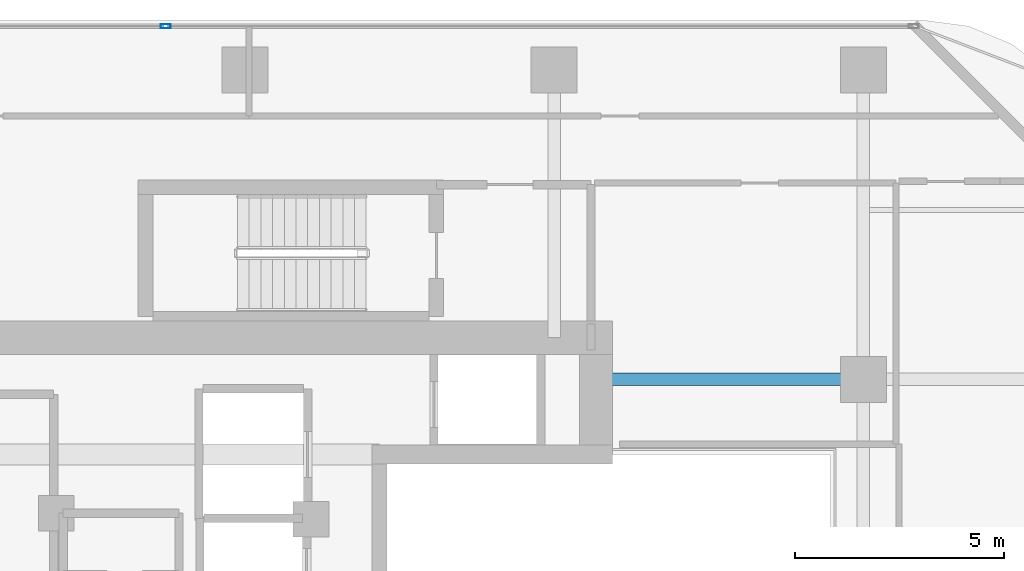
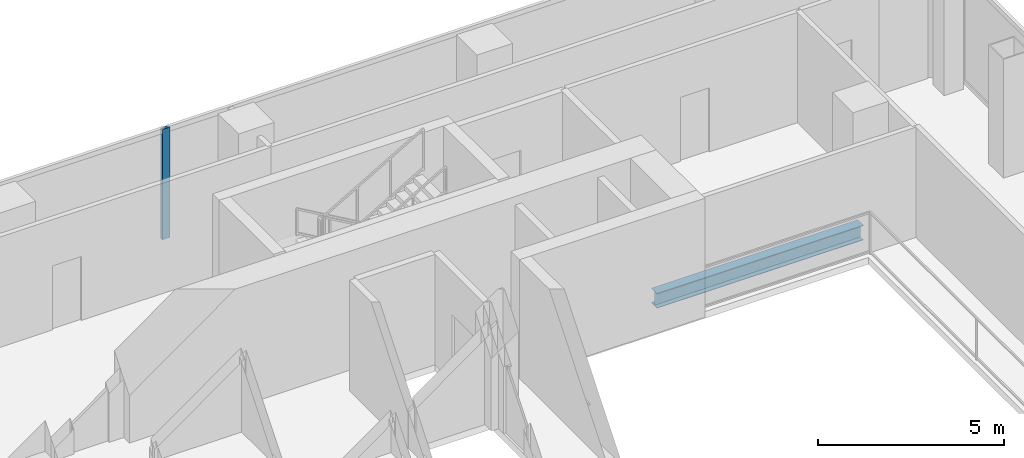
# One storey, part 13 of 24: 1 beam, 1 member, 1 element without a shape of its own.
"""IFC4 building model written with IfcOpenShell, lengths in metres."""

from ifc_helpers import new_model, si_unit, direction, frame, origin, origin_2d, place, context, subcontext, project, spatial, hollow_rectangle, i_section, extrude, material, layer, layer_set, material_profile, profile_set, type_object, element, aggregate, save


model = new_model("IFC4")

# Units and contexts
model_context = context("Model", 3, precision=1e-05, world=origin(), true_north=direction((0.0, 1.0)))
body_context = subcontext(model_context, "Body", "Model", "MODEL_VIEW")
ifc_project = project(units=[si_unit("LENGTHUNIT", "METRE"), si_unit("AREAUNIT", "SQUARE_METRE"), si_unit("VOLUMEUNIT", "CUBIC_METRE"), si_unit("PLANEANGLEUNIT", "RADIAN"), si_unit("MASSUNIT", "GRAM", prefix="KILO")], contexts=[model_context])

# Site, building, storey
site_placement = place(None, origin())
site = spatial("IfcSite", under=ifc_project, at=site_placement, CompositionType="ELEMENT")
building_placement = place(site_placement, origin())
building = spatial("IfcBuilding", under=site, at=building_placement, Name="Khorvyn Point Tower", CompositionType="ELEMENT")
storey_placement = place(building_placement, frame((0.0, 0.0, 215.699951171875)))
storey = spatial("IfcBuildingStorey", under=building, at=storey_placement, Name="L53", CompositionType="ELEMENT", Elevation=215.699951171875)

# Curtain wall, member
ifc_material_1 = material(Name="Anodised aluminium 6063-T6 and laminated Low-E glass", Category="aluminium")
ifc_layer = layer(ifc_material_1, 0.18994140625)
ifc_layer_set = layer_set([ifc_layer], Name="Stick-Built Acoustic Curtain Wall CW-SYS-03")
curtain_wall_type = type_object("IfcCurtainWallType", Name="Stick-Built Acoustic Curtain Wall CW-SYS-03", PredefinedType="NOTDEFINED", material=ifc_layer_set)
curtain_wall_placement = place(storey_placement, origin())
curtain_wall = element("IfcCurtainWall", 1, at=curtain_wall_placement, inside=storey, type_object=curtain_wall_type, Name="Curtain Wall", PredefinedType="NOTDEFINED")
ifc_material_2 = material(Name="Anodised aluminium 6063-T6", Category="aluminium")
ifc_material_profile_1 = material_profile(ifc_material_2, hollow_rectangle(XDim=0.10009765625, YDim=0.239990234375, WallThickness=0.0048828125, at=origin_2d()))
ifc_profile_set_1 = profile_set([ifc_material_profile_1], Name="Anodised aluminium 6063-T6 ALU-MUL-100x240")
member_type = type_object("IfcMemberType", Name="Anodised Aluminium 6063-T6 Mullion ALU-MUL-100x240", PredefinedType="MULLION", material=ifc_profile_set_1)
member_placement = place(storey_placement, frame((-1.89990234375, 15.85009765625, 0.0), z_axis=(0.0, 0.0, 1.0), x_axis=(0.0, 1.0, 0.0)))
member = element("IfcMember", 2, at=member_placement, type_object=member_type, Name="Transom", PredefinedType="MULLION", context=body_context, shape_type="SweptSolid", body=[
    extrude(hollow_rectangle(XDim=0.10009765625, YDim=0.239990234375, WallThickness=0.0048828125, at=origin_2d()), origin(), (0.0, 0.0, 1.0), 3.6201171875),
])
aggregate(curtain_wall, [member])

# Beam
ifc_material_3 = material(Name="Steel S355", Category="steel")
ifc_material_profile_2 = material_profile(ifc_material_3, i_section(OverallWidth=0.300048828125, OverallDepth=0.488037109375, WebThickness=0.010986328125, FlangeThickness=0.01806640625, at=origin_2d()))
ifc_profile_set_2 = profile_set([ifc_material_profile_2], Name="Steel S355 H488x300x11x18")
beam_type = type_object("IfcBeamType", Name="Steel S355 Spandrel H488x300x11x18", PredefinedType="SPANDREL", material=ifc_profile_set_2)
beam_placement = place(storey_placement, frame((8.39990234375, 7.39990234375, -0.4638671875), z_axis=(1.0, 0.0, 0.0), x_axis=(0.0, 1.0, 0.0)))
element("IfcBeam", 3, at=beam_placement, inside=storey, type_object=beam_type, Name="Beam", PredefinedType="SPANDREL", context=body_context, shape_type="SweptSolid", body=[
    extrude(i_section(OverallWidth=0.300048828125, OverallDepth=0.488037109375, WebThickness=0.010986328125, FlangeThickness=0.01806640625, at=origin_2d()), origin(), (0.0, 0.0, 1.0), 6.400146484375),
])

save(model, "model.ifc")
